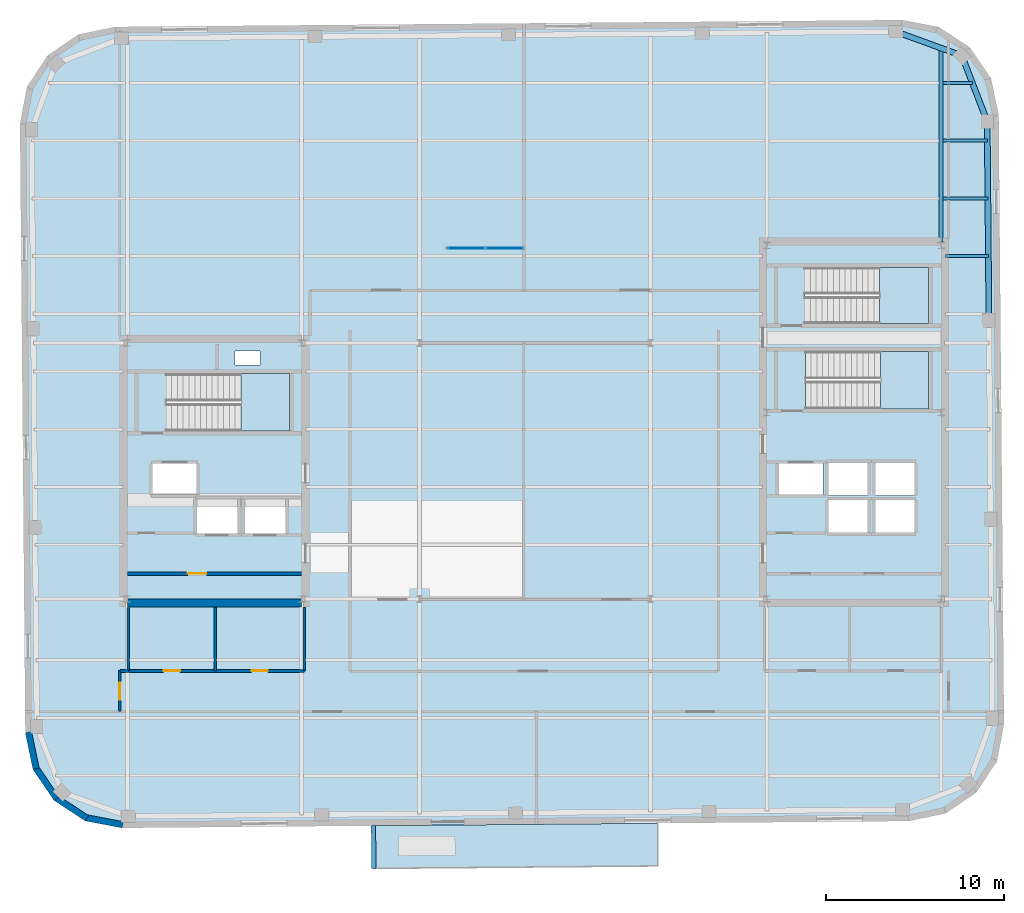
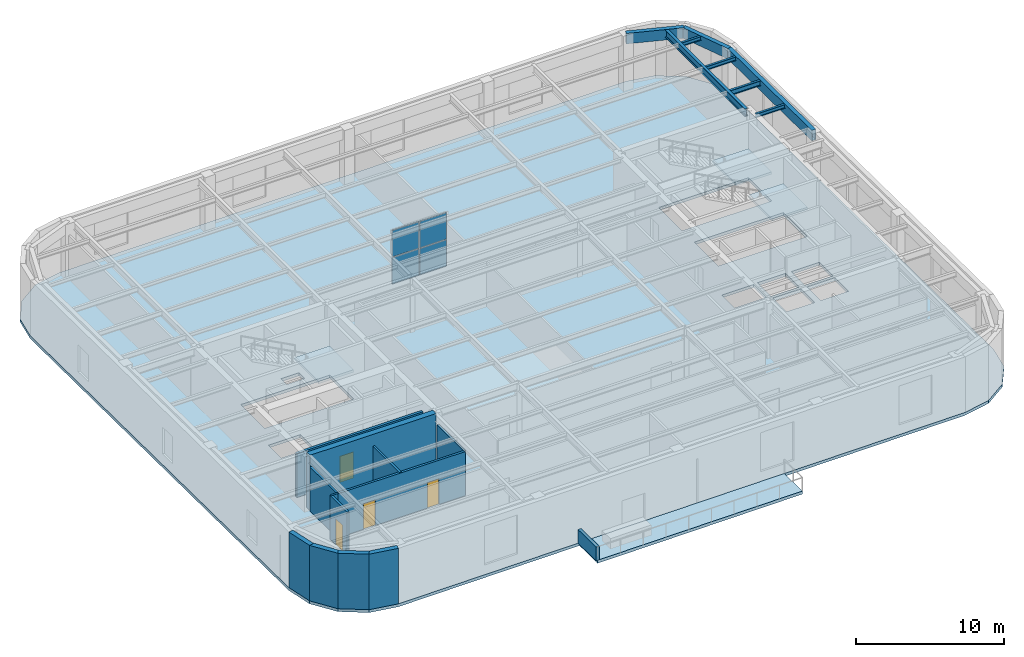
# One storey, part 7 of 13: 13 walls, 8 beams, 5 slabs, 4 doors, 4 plates, 4 openings, 4 elements without a shape of their own.
"""IFC4 building model written with IfcOpenShell, lengths in metres."""

from ifc_helpers import new_model, si_unit, direction, frame, frame_2d, origin, origin_2d, place, context, subcontext, project, spatial, polyline, rectangle, hollow_rectangle, i_section, outline, extrude, material, layer, layer_set, material_profile, profile_set, type_object, element, fill, aggregate, save


model = new_model("IFC4")

# Units and contexts
model_context = context("Model", 3, precision=1e-05, world=origin(), true_north=direction((0.0, 1.0)))
body_context = subcontext(model_context, "Body", "Model", "MODEL_VIEW")
ifc_project = project(units=[si_unit("LENGTHUNIT", "METRE"), si_unit("AREAUNIT", "SQUARE_METRE"), si_unit("VOLUMEUNIT", "CUBIC_METRE"), si_unit("PLANEANGLEUNIT", "RADIAN"), si_unit("MASSUNIT", "GRAM", prefix="KILO")], contexts=[model_context])

# Site, building, storey
site_placement = place(None, origin())
site = spatial("IfcSite", under=ifc_project, at=site_placement, CompositionType="ELEMENT")
building_placement = place(site_placement, origin())
building = spatial("IfcBuilding", under=site, at=building_placement, Name="Kolvaren Arena Tower", CompositionType="ELEMENT")
storey_placement = place(building_placement, frame((0.0, 0.0, 312.39990234375)))
storey = spatial("IfcBuildingStorey", under=building, at=storey_placement, Name="L77", CompositionType="ELEMENT", Elevation=312.39990234375)

# Beams
ifc_material_1 = material(Name="Steel CSA G40.21 350W", Category="steel")
ifc_material_profile_1 = material_profile(ifc_material_1, i_section(OverallWidth=0.180908203125, OverallDepth=0.4169921875, WebThickness=0.010986328125, FlangeThickness=0.018310546875, FilletRadius=0.011962890625, at=origin_2d()), Name="W410x85")
ifc_profile_set_1 = profile_set([ifc_material_profile_1], Name="Steel CSA G40.21 350W")
beam_type_1 = type_object("IfcBeamType", Name="BEAM-F3", PredefinedType="BEAM", material=ifc_profile_set_1)
beam_1_placement = place(storey_placement, frame((60.464111328125, 42.0, 4.3515625), z_axis=(1.0, 0.0, 0.0), x_axis=(0.0, 1.0, 0.0)))
element("IfcBeam", 1, at=beam_1_placement, inside=storey, type_object=beam_type_1, Name="Composite Floor Beam (L77)", PredefinedType="BEAM", context=body_context, shape_type="SweptSolid", body=[
    extrude(i_section(OverallWidth=0.180908203125, OverallDepth=0.4169921875, WebThickness=0.010986328125, FlangeThickness=0.018310546875, FilletRadius=0.011962890625, at=origin_2d()), origin(), (0.0, 0.0, 1.0), 2.526123046875),
])
ifc_material_profile_2 = material_profile(ifc_material_1, i_section(OverallWidth=0.22802734375, OverallDepth=0.615966796875, WebThickness=0.013916015625, FlangeThickness=0.02490234375, FilletRadius=0.014892578125, at=origin_2d()), Name="W610x174")
ifc_profile_set_2 = profile_set([ifc_material_profile_2], Name="Steel CSA G40.21 350W")
beam_type_2 = type_object("IfcBeamType", Name="GIRD-T3", PredefinedType="BEAM", material=ifc_profile_set_2)
beam_2_placement = place(storey_placement, frame((60.35009765625, 39.554931640625, 4.252197265625), z_axis=(0.0, 1.0, 0.0), x_axis=(-1.0, 0.0, 0.0)))
element("IfcBeam", 2, at=beam_2_placement, inside=storey, type_object=beam_type_2, Name="Primary Floor Girder (L77)", PredefinedType="BEAM", context=body_context, shape_type="SweptSolid", body=[
    extrude(i_section(OverallWidth=0.22802734375, OverallDepth=0.615966796875, WebThickness=0.013916015625, FlangeThickness=0.02490234375, FilletRadius=0.014892578125, at=origin_2d()), origin(), (0.0, 0.0, 1.0), 10.90625),
])
ifc_material_profile_3 = material_profile(ifc_material_1, i_section(OverallWidth=0.1669921875, OverallDepth=0.31689453125, WebThickness=0.007568359375, FlangeThickness=0.01318359375, FilletRadius=0.010009765625, at=origin_2d()), Name="W310x52")
ifc_profile_set_3 = profile_set([ifc_material_profile_3], Name="Steel CSA G40.21 350W")
beam_type_3 = type_object("IfcBeamType", Name="JOIST-02", PredefinedType="JOIST", material=ifc_profile_set_3)
beam_3_placement = place(storey_placement, frame((60.594970703125, 38.75, 4.401611328125), z_axis=(1.0, 0.0, 0.0), x_axis=(0.0, 1.0, 0.0)))
element("IfcBeam", 3, at=beam_3_placement, inside=storey, type_object=beam_type_3, Name="Composite Floor Joist (L77)", PredefinedType="JOIST", context=body_context, shape_type="SweptSolid", body=[
    extrude(i_section(OverallWidth=0.1669921875, OverallDepth=0.31689453125, WebThickness=0.007568359375, FlangeThickness=0.01318359375, FilletRadius=0.010009765625, at=origin_2d()), origin(), (0.0, 0.0, 1.0), 2.423583984375),
])
beam_4_placement = place(storey_placement, frame((60.464111328125, 45.25, 4.401611328125), z_axis=(1.0, 0.0, 0.0), x_axis=(0.0, 1.0, 0.0)))
element("IfcBeam", 4, at=beam_4_placement, inside=storey, type_object=beam_type_3, Name="Composite Floor Joist (L77)", PredefinedType="JOIST", context=body_context, shape_type="SweptSolid", body=[
    extrude(i_section(OverallWidth=0.1669921875, OverallDepth=0.31689453125, WebThickness=0.007568359375, FlangeThickness=0.01318359375, FilletRadius=0.010009765625, at=origin_2d()), origin(), (0.0, 0.0, 1.0), 2.497802734375),
])
beam_5_placement = place(storey_placement, frame((60.464111328125, 48.5, 4.401611328125), z_axis=(1.0, 0.0, 0.0), x_axis=(0.0, 1.0, 0.0)))
element("IfcBeam", 5, at=beam_5_placement, inside=storey, type_object=beam_type_3, Name="Composite Floor Joist (L77)", PredefinedType="JOIST", context=body_context, shape_type="SweptSolid", body=[
    extrude(i_section(OverallWidth=0.1669921875, OverallDepth=0.31689453125, WebThickness=0.007568359375, FlangeThickness=0.01318359375, FilletRadius=0.010009765625, at=origin_2d()), origin(), (0.0, 0.0, 1.0), 1.654296875),
])
ifc_material_2 = material(Name="Steel CSA G40.21 350WT", Category="steel")
ifc_material_profile_4 = material_profile(ifc_material_2, hollow_rectangle(XDim=0.320068359375, YDim=0.860107421875, WallThickness=0.01806640625, at=origin_2d()), Name="HSS 860x320x18")
ifc_profile_set_4 = profile_set([ifc_material_profile_4], Name="Steel CSA G40.21 350WT")
beam_type_4 = type_object("IfcBeamType", Name="SPAND-02", PredefinedType="SPANDREL", material=ifc_profile_set_4)
beam_6_placement = place(storey_placement, frame((63.050048828125, 35.134521484375, 4.130126953125), z_axis=(-0.008719394723, 0.999961985355, 0.0), x_axis=(-0.999961985355, -0.008719394723, 0.0)))
element("IfcBeam", 6, at=beam_6_placement, inside=storey, type_object=beam_type_4, Name="Perimeter Spandrel Beam (L77)", PredefinedType="SPANDREL", context=body_context, shape_type="SweptSolid", body=[
    extrude(hollow_rectangle(XDim=0.320068359375, YDim=0.860107421875, WallThickness=0.01806640625, at=origin_2d()), origin(), (0.0, 0.0, 1.0), 11.199951171875),
])
for number, where, z_axis, x_axis, name in (
    (7, (62.952392578125, 46.333984375, 4.130126953125), (-0.359383792094, 0.933189846698, 0.0), (-0.933189846698, -0.359383792094, 0.0), "Perimeter Spandrel Beam (L77)"),
    (8, (61.52880859375, 50.030517578125, 4.130126953125), (-0.939313819882, 0.343059102458, 0.0), (-0.343059102458, -0.939313819882, 0.0), "Perimeter Spandrel Beam (L77)"),
):
    element("IfcBeam", number, at=place(storey_placement, frame(where, z_axis=z_axis, x_axis=x_axis)), inside=storey, type_object=beam_type_4, Name=name, PredefinedType="SPANDREL", context=body_context, shape_type="SweptSolid", body=[
        extrude(hollow_rectangle(XDim=0.320068359375, YDim=0.860107421875, WallThickness=0.01806640625, at=origin_2d()), origin(), (0.0, 0.0, 1.0), 3.961181640625),
    ])

# Curtain wall, plates
ifc_material_3 = material(Name="Anodised aluminium unitised curtain wall", Category="aluminium")
curtain_wall_type = type_object("IfcCurtainWallType", Name="CW-SYS-06", PredefinedType="USERDEFINED", material=ifc_material_3)
curtain_wall_placement = place(storey_placement, origin())
curtain_wall = element("IfcCurtainWall", 9, at=curtain_wall_placement, inside=storey, type_object=curtain_wall_type, Name="Wintergarden Glazed Curtain Wall (L77)", ObjectType="UNITISED CURTAIN WALL", PredefinedType="USERDEFINED")
ifc_material_4 = material(Name="Triple-silver low-E insulated glazing unit", Category="glass")
ifc_layer_1 = layer(ifc_material_4, 0.0439453125)
ifc_layer_set_1 = layer_set([ifc_layer_1], Name="Triple-silver low-E insulated glazing unit")
plate_type = type_object("IfcPlateType", Name="CWP-VIS1", PredefinedType="CURTAIN_PANEL", material=ifc_layer_set_1)
plate_1_placement = place(storey_placement, frame((33.6201171875, 39.199951171875, 0.080078125), z_axis=(0.0, 0.0, 1.0), x_axis=(1.0, 0.0, 0.0)))
plate_1 = element("IfcPlate", 10, at=plate_1_placement, type_object=plate_type, Name="CW6 panel 1.1", PredefinedType="CURTAIN_PANEL", context=body_context, shape_type="SweptSolid", body=[
    extrude(rectangle(XDim=2.080078125, YDim=0.0439453125, at=origin_2d()), origin(), (0.0, 0.0, 1.0), 2.159912109375),
])
plate_2_placement = place(storey_placement, frame((33.6201171875, 39.199951171875, 2.3203125), z_axis=(0.0, 0.0, 1.0), x_axis=(1.0, 0.0, 0.0)))
plate_2 = element("IfcPlate", 11, at=plate_2_placement, type_object=plate_type, Name="CW6 panel 1.2", PredefinedType="CURTAIN_PANEL", context=body_context, shape_type="SweptSolid", body=[
    extrude(rectangle(XDim=2.080078125, YDim=0.0439453125, at=origin_2d()), origin(), (0.0, 0.0, 1.0), 2.159912109375),
])
plate_3_placement = place(storey_placement, frame((35.780029296875, 39.199951171875, 0.080078125), z_axis=(0.0, 0.0, 1.0), x_axis=(1.0, 0.0, 0.0)))
plate_3 = element("IfcPlate", 12, at=plate_3_placement, type_object=plate_type, Name="CW6 panel 2.1", PredefinedType="CURTAIN_PANEL", context=body_context, shape_type="SweptSolid", body=[
    extrude(rectangle(XDim=2.080078125, YDim=0.0439453125, at=origin_2d()), origin(), (0.0, 0.0, 1.0), 2.159912109375),
])
plate_4_placement = place(storey_placement, frame((35.780029296875, 39.199951171875, 2.3203125), z_axis=(0.0, 0.0, 1.0), x_axis=(1.0, 0.0, 0.0)))
plate_4 = element("IfcPlate", 13, at=plate_4_placement, type_object=plate_type, Name="CW6 panel 2.2", PredefinedType="CURTAIN_PANEL", context=body_context, shape_type="SweptSolid", body=[
    extrude(rectangle(XDim=2.080078125, YDim=0.0439453125, at=origin_2d()), origin(), (0.0, 0.0, 1.0), 2.159912109375),
])
aggregate(curtain_wall, [plate_1, plate_2, plate_3, plate_4])

# Stair, slab
ifc_material_5 = material(Name="Concrete 45 MPa", Category="concrete")
stair_type_1 = type_object("IfcStairType", Name="STAIR-CORE-165", PredefinedType="HALF_TURN_STAIR", material=ifc_material_5)
stair_1_placement = place(storey_placement, origin())
stair_1 = element("IfcStair", 14, at=stair_1_placement, inside=storey, type_object=stair_type_1, Name="L77 ST-W1", PredefinedType="HALF_TURN_STAIR")
ifc_layer_2 = layer(ifc_material_5, 0.199951171875)
ifc_layer_set_2 = layer_set([ifc_layer_2], Name="Concrete 45 MPa")
slab_type_1 = type_object("IfcSlabType", Name="SLAB-LAND", PredefinedType="LANDING", material=ifc_layer_set_2)
slab_1_placement = place(storey_placement, frame((0.0, 0.0, 2.2001953125)))
slab_1 = element("IfcSlab", 15, at=slab_1_placement, type_object=slab_type_1, Name="ST-W1 landing 1", PredefinedType="LANDING", context=body_context, shape_type="SweptSolid", body=[
    extrude(outline(polyline([(20.931884765625, 28.89990234375), (23.659912109375, 28.89990234375), (23.659912109375, 32.1298828125), (20.931884765625, 32.1298828125), (20.931884765625, 28.89990234375)])), origin(), (0.0, 0.0, 1.0), 0.199951171875),
])
aggregate(stair_1, [slab_1])

stair_2_placement = place(storey_placement, origin())
stair_2 = element("IfcStair", 16, at=stair_2_placement, inside=storey, type_object=stair_type_1, Name="L77 ST-E1", PredefinedType="HALF_TURN_STAIR")
slab_2_placement = place(storey_placement, frame((0.0, 0.0, 2.2001953125)))
slab_2 = element("IfcSlab", 17, at=slab_2_placement, type_object=slab_type_1, Name="ST-E1 landing 1", PredefinedType="LANDING", context=body_context, shape_type="SweptSolid", body=[
    extrude(outline(polyline([(56.931884765625, 30.14990234375), (59.659912109375, 30.14990234375), (59.659912109375, 33.3798828125), (56.931884765625, 33.3798828125), (56.931884765625, 30.14990234375)])), origin(), (0.0, 0.0, 1.0), 0.199951171875),
])
aggregate(stair_2, [slab_2])

stair_type_2 = type_object("IfcStairType", Name="STAIR-CORE-150", PredefinedType="HALF_TURN_STAIR", material=ifc_material_5)
stair_3_placement = place(storey_placement, origin())
stair_3 = element("IfcStair", 18, at=stair_3_placement, inside=storey, type_object=stair_type_2, Name="L77 ST-E2", PredefinedType="HALF_TURN_STAIR")
slab_3_placement = place(storey_placement, frame((0.0, 0.0, 2.2001953125)))
slab_3 = element("IfcSlab", 19, at=slab_3_placement, type_object=slab_type_1, Name="ST-E2 landing 1", PredefinedType="LANDING", context=body_context, shape_type="SweptSolid", body=[
    extrude(outline(polyline([(56.89208984375, 34.949951171875), (59.659912109375, 34.949951171875), (59.659912109375, 38.10009765625), (56.89208984375, 38.10009765625), (56.89208984375, 34.949951171875)])), origin(), (0.0, 0.0, 1.0), 0.199951171875),
])
aggregate(stair_3, [slab_3])

# Slabs
ifc_material_6 = material(Name="Concrete 50 MPa", Category="concrete")
ifc_layer_3 = layer(ifc_material_6, 0.239990234375)
ifc_layer_set_3 = layer_set([ifc_layer_3], Name="Concrete 50 MPa")
slab_type_2 = type_object("IfcSlabType", Name="SLAB-OBS", PredefinedType="FLOOR", material=ifc_layer_set_3)
slab_4_placement = place(storey_placement, frame((0.0, 0.0, -0.239990234375)))
element("IfcSlab", 20, at=slab_4_placement, inside=storey, type_object=slab_type_2, Name="L77 Primary Structural Slab", PredefinedType="FLOOR", context=body_context, shape_type="SweptSolid", body=[
    extrude(outline(polyline([(58.5458984375, 6.944091796875), (60.60888671875, 7.373291015625), (62.350341796875, 8.55908203125), (63.505615234375, 10.321044921875), (63.898681640625, 12.39111328125), (63.599365234375, 46.689697265625), (63.170166015625, 48.752685546875), (61.984375, 50.494140625), (60.222412109375, 51.6494140625), (58.15234375, 52.04248046875), (13.85400390625, 51.65576171875), (11.791259765625, 51.226806640625), (10.049560546875, 50.041015625), (8.894287109375, 48.27880859375), (8.50146484375, 46.208984375), (8.80078125, 11.91015625), (9.229736328125, 9.847412109375), (10.41552734375, 8.105712890625), (12.177490234375, 6.95068359375), (14.24755859375, 6.5576171875), (58.5458984375, 6.944091796875)]), holes=[polyline([(20.739990234375, 23.135009765625), (18.4599609375, 23.135009765625), (18.4599609375, 25.06494140625), (20.739990234375, 25.06494140625), (20.739990234375, 23.135009765625)]), polyline([(21.159912109375, 23.135009765625), (21.159912109375, 25.06494140625), (23.43994140625, 25.06494140625), (23.43994140625, 23.135009765625), (21.159912109375, 23.135009765625)]), polyline([(56.2099609375, 23.18505859375), (54.030029296875, 23.18505859375), (54.030029296875, 25.014892578125), (56.2099609375, 25.014892578125), (56.2099609375, 23.18505859375)]), polyline([(56.669921875, 23.18505859375), (56.669921875, 25.014892578125), (58.85009765625, 25.014892578125), (58.85009765625, 23.18505859375), (56.669921875, 23.18505859375)]), polyline([(54.030029296875, 25.284912109375), (54.030029296875, 27.114990234375), (56.2099609375, 27.114990234375), (56.2099609375, 25.284912109375), (54.030029296875, 25.284912109375)]), polyline([(58.85009765625, 25.284912109375), (56.669921875, 25.284912109375), (56.669921875, 27.114990234375), (58.85009765625, 27.114990234375), (58.85009765625, 25.284912109375)]), polyline([(15.9599609375, 25.3349609375), (15.9599609375, 27.06494140625), (18.43994140625, 27.06494140625), (18.43994140625, 25.3349609375), (15.9599609375, 25.3349609375)]), polyline([(53.699951171875, 25.3349609375), (51.219970703125, 25.3349609375), (51.219970703125, 27.06494140625), (53.699951171875, 27.06494140625), (53.699951171875, 25.3349609375)]), polyline([(16.735107421875, 28.89990234375), (16.735107421875, 32.1298828125), (23.659912109375, 32.1298828125), (23.659912109375, 28.89990234375), (16.735107421875, 28.89990234375)]), polyline([(52.735107421875, 30.14990234375), (52.735107421875, 33.3798828125), (59.659912109375, 33.3798828125), (59.659912109375, 30.14990234375), (52.735107421875, 30.14990234375)]), polyline([(20.60009765625, 32.6201171875), (20.60009765625, 33.39990234375), (22.0, 33.39990234375), (22.0, 32.6201171875), (20.60009765625, 32.6201171875)]), polyline([(52.695068359375, 34.949951171875), (52.695068359375, 38.10009765625), (59.659912109375, 38.10009765625), (59.659912109375, 34.949951171875), (52.695068359375, 34.949951171875)])]), origin(), (0.0, 0.0, 1.0), 0.239990234375),
])
ifc_layer_4 = layer(ifc_material_5, 0.2548828125)
ifc_layer_set_4 = layer_set([ifc_layer_4], Name="Concrete 45 MPa")
slab_type_3 = type_object("IfcSlabType", Name="SLAB-TERR", PredefinedType="FLOOR", material=ifc_layer_set_4)
slab_5_placement = place(storey_placement, frame((0.0, 0.0, -0.25)))
element("IfcSlab", 21, at=slab_5_placement, inside=storey, type_object=slab_type_3, Name="L77 Planted Setback Roof Terrace Slab", PredefinedType="FLOOR", context=body_context, shape_type="SweptSolid", body=[
    extrude(outline(polyline([(28.41796875, 4.281005859375), (44.41748046875, 4.4208984375), (44.396484375, 6.82080078125), (28.397216796875, 6.680908203125), (28.41796875, 4.281005859375)])), origin(), (0.0, 0.0, 1.0), 0.25),
])

# Wall
ifc_material_7 = material(Name="Gypsum board acoustic assembly", Category="gypsum")
ifc_layer_5 = layer(ifc_material_7, 0.159912109375)
ifc_layer_set_5 = layer_set([ifc_layer_5], Name="Gypsum board acoustic assembly")
wall_type_1 = type_object("IfcWallType", Name="CORR-160", PredefinedType="PARTITIONING", material=ifc_layer_set_5)
wall_1_placement = place(storey_placement, frame((14.1201171875, 15.39990234375, 0.0), z_axis=(0.0, 0.0, 1.0), x_axis=(1.0, 0.0, 0.0)))
element("IfcWall", 22, at=wall_1_placement, inside=storey, type_object=wall_type_1, Name="Interior Partition Wall (L77)", PredefinedType="PARTITIONING", context=body_context, shape_type="SweptSolid", body=[
    extrude(rectangle(XDim=0.5, YDim=0.159912109375, at=frame_2d((0.25, 0.0))), origin(), (0.0, 0.0, 1.0), 3.6201171875),
])

# Wall, opening, door
wall_2_placement = place(storey_placement, frame((14.1201171875, 13.1201171875, 0.0), z_axis=(0.0, 0.0, 1.0), x_axis=(0.0, 1.0, 0.0)))
wall_2 = element("IfcWall", 23, at=wall_2_placement, inside=storey, type_object=wall_type_1, Name="Interior Partition Wall (L77)", PredefinedType="PARTITIONING", context=body_context, shape_type="SweptSolid", body=[
    extrude(rectangle(XDim=2.2998046875, YDim=0.159912109375, at=frame_2d((1.14990234375, 0.0))), origin(), (0.0, 0.0, 1.0), 3.6201171875),
])
opening_1_placement = place(wall_2_placement, frame((0.64990234375, 0.0, 0.0)))
opening_1 = element("IfcOpeningElement", 24, at=opening_1_placement, cuts=wall_2, Name="Opening D05", PredefinedType="OPENING", context=body_context, shape_type="SweptSolid", body=[
    extrude(rectangle(XDim=0.949951171875, YDim=2.14990234375, at=frame_2d((0.47509765625, 1.074951171875))), frame((0.0, 0.08984375, 0.0), z_axis=(0.0, -1.0, 0.0), x_axis=(1.0, 0.0, 0.0)), (0.0, 0.0, 1.0), 0.179931640625),
])
ifc_material_8 = material(Name="Solid-core oak acoustic office door", Category="wood")
door_type_1 = type_object("IfcDoorType", Name="DOOR-OF-095", OperationType="NOTDEFINED", PredefinedType="DOOR", material=ifc_material_8)
door_1_placement = place(opening_1_placement, origin())
door_1 = element("IfcDoor", 25, at=door_1_placement, inside=storey, type_object=door_type_1, Name="West Salon Door (L77)", OperationType="SINGLE_SWING_LEFT", OverallHeight=2.14990234375, OverallWidth=0.949951171875, PredefinedType="DOOR", context=body_context, shape_type="SweptSolid", body=[
    extrude(rectangle(XDim=0.949951171875, YDim=2.14990234375, at=frame_2d((0.47509765625, 1.074951171875))), frame((0.0, 0.02490234375, 0.0), z_axis=(0.0, -1.0, 0.0), x_axis=(1.0, 0.0, 0.0)), (0.0, 0.0, 1.0), 0.050048828125),
])
fill(opening_1, door_1)

# Walls
ifc_material_9 = material(Name="Concrete 55 MPa", Category="concrete")
ifc_layer_6 = layer(ifc_material_9, 0.449951171875)
ifc_layer_set_6 = layer_set([ifc_layer_6], Name="Concrete 55 MPa")
wall_type_2 = type_object("IfcWallType", Name="CWALL-450", PredefinedType="SHEAR", material=ifc_layer_set_6)
wall_3_placement = place(storey_placement, frame((14.550048828125, 19.22509765625, -0.239990234375), z_axis=(0.0, 0.0, 1.0), x_axis=(1.0, 0.0, 0.0)))
element("IfcWall", 26, at=wall_3_placement, inside=storey, type_object=wall_type_2, Name="Core Shear Wall WC-SOUTH (L77)", PredefinedType="SHEAR", context=body_context, shape_type="SweptSolid", body=[
    extrude(rectangle(XDim=9.800048828125, YDim=0.449951171875, at=frame_2d((4.89990234375, 0.0))), origin(), (0.0, 0.0, 1.0), 4.800048828125),
])
ifc_material_10 = material(Name="Precast concrete C50/60", Category="concrete")
ifc_layer_7 = layer(ifc_material_10, 0.360107421875)
ifc_layer_set_7 = layer_set([ifc_layer_7], Name="Precast concrete C50/60")
wall_type_3 = type_object("IfcWallType", Name="EXT-PIER2", PredefinedType="SOLIDWALL", material=ifc_layer_set_7)
wall_4_placement = place(storey_placement, frame((9.406005859375, 9.884033203125, 0.0), z_axis=(0.0, 0.0, 1.0), x_axis=(-0.203685893209, 0.979036289883, 0.0)))
element("IfcWall", 27, at=wall_4_placement, inside=storey, type_object=wall_type_3, Name="Exterior Precast Masonry-Frame Wall (L77)", PredefinedType="SOLIDWALL", context=body_context, shape_type="SweptSolid", body=[
    extrude(rectangle(XDim=2.107177734375, YDim=0.360107421875, at=frame_2d((1.0537109375, 0.0))), origin(), (0.0, 0.0, 1.0), 4.56005859375),
])
for number, where, z_axis, x_axis, name in (
    (28, (10.564453125, 8.20703125, 0.0), (0.0, 0.0, 1.0), (-0.56277581689, 0.826609569219, 0.0), "Exterior Precast Masonry-Frame Wall (L77)"),
    (29, (12.2763671875, 7.10107421875, 0.0), (0.0, 0.0, 1.0), (-0.836268756678, 0.548319766745, 0.0), "Exterior Precast Masonry-Frame Wall (L77)"),
):
    element("IfcWall", number, at=place(storey_placement, frame(where, z_axis=z_axis, x_axis=x_axis)), inside=storey, type_object=wall_type_3, Name=name, PredefinedType="SOLIDWALL", context=body_context, shape_type="SweptSolid", body=[
        extrude(rectangle(XDim=2.10693359375, YDim=0.360107421875, at=frame_2d((1.053466796875, 0.0))), origin(), (0.0, 0.0, 1.0), 4.56005859375),
    ])
wall_5_placement = place(storey_placement, frame((14.28125, 6.734375, 0.0), z_axis=(0.0, 0.0, 1.0), x_axis=(-0.982445905584, 0.186547695246, 0.0)))
element("IfcWall", 30, at=wall_5_placement, inside=storey, type_object=wall_type_3, Name="Exterior Precast Masonry-Frame Wall (L77)", PredefinedType="SOLIDWALL", context=body_context, shape_type="SweptSolid", body=[
    extrude(rectangle(XDim=2.107177734375, YDim=0.360107421875, at=frame_2d((1.0537109375, 0.0))), origin(), (0.0, 0.0, 1.0), 4.56005859375),
])

# Wall, opening, door
ifc_material_11 = material(Name="Concrete 40 MPa", Category="concrete")
ifc_layer_8 = layer(ifc_material_11, 0.199951171875)
ifc_layer_set_8 = layer_set([ifc_layer_8], Name="Concrete 40 MPa")
wall_type_4 = type_object("IfcWallType", Name="LOBBY-200", PredefinedType="SOLIDWALL", material=ifc_layer_set_8)
wall_6_placement = place(storey_placement, frame((14.550048828125, 20.8798828125, 0.0), z_axis=(0.0, 0.0, 1.0), x_axis=(1.0, 0.0, 0.0)))
wall_6 = element("IfcWall", 31, at=wall_6_placement, inside=storey, type_object=wall_type_4, Name="Core Shaft Wall (L77)", PredefinedType="SOLIDWALL", context=body_context, shape_type="SweptSolid", body=[
    extrude(rectangle(XDim=9.800048828125, YDim=0.199951171875, at=frame_2d((4.89990234375, 0.0))), origin(), (0.0, 0.0, 1.0), 3.6201171875),
])
opening_2_placement = place(wall_6_placement, frame((3.39990234375, 0.0, 0.0)))
opening_2 = element("IfcOpeningElement", 32, at=opening_2_placement, cuts=wall_6, Name="Opening D04", PredefinedType="OPENING", context=body_context, shape_type="SweptSolid", body=[
    extrude(rectangle(XDim=1.050048828125, YDim=2.14990234375, at=frame_2d((0.52490234375, 1.074951171875))), frame((0.0, 0.10986328125, 0.0), z_axis=(0.0, -1.0, 0.0), x_axis=(1.0, 0.0, 0.0)), (0.0, 0.0, 1.0), 0.219970703125),
])
ifc_material_12 = material(Name="Fire-rated steel lobby door", Category="steel")
door_type_2 = type_object("IfcDoorType", Name="DOOR-FF-105", OperationType="NOTDEFINED", PredefinedType="DOOR", material=ifc_material_12)
door_2_placement = place(opening_2_placement, origin())
door_2 = element("IfcDoor", 33, at=door_2_placement, inside=storey, type_object=door_type_2, Name="West IT Room Fire Door (L77)", OperationType="SINGLE_SWING_LEFT", OverallHeight=2.14990234375, OverallWidth=1.050048828125, PredefinedType="DOOR", context=body_context, shape_type="SweptSolid", body=[
    extrude(rectangle(XDim=1.050048828125, YDim=2.14990234375, at=frame_2d((0.52490234375, 1.074951171875))), frame((0.0, 0.02490234375, 0.0), z_axis=(0.0, -1.0, 0.0), x_axis=(1.0, 0.0, 0.0)), (0.0, 0.0, 1.0), 0.050048828125),
])
fill(opening_2, door_2)

# Walls
ifc_material_13 = material(Name="Precast concrete C45/55", Category="concrete")
ifc_layer_9 = layer(ifc_material_13, 0.25)
ifc_layer_set_9 = layer_set([ifc_layer_9], Name="Precast concrete C45/55")
wall_type_5 = type_object("IfcWallType", Name="PARAP-250", PredefinedType="PARAPET", material=ifc_layer_set_9)
wall_7_placement = place(storey_placement, frame((28.397216796875, 6.680908203125, 0.0), z_axis=(0.0, 0.0, 1.0), x_axis=(0.00864667573, -0.999962616801, 0.0)))
element("IfcWall", 34, at=wall_7_placement, inside=storey, type_object=wall_type_5, Name="Terrace Side Parapet Wall (L77)", PredefinedType="PARAPET", context=body_context, shape_type="SweptSolid", body=[
    extrude(rectangle(XDim=2.39990234375, YDim=0.25, at=frame_2d((1.199951171875, 0.0))), origin(), (0.0, 0.0, 1.0), 1.1201171875),
])
ifc_material_14 = material(Name="Moisture-resistant gypsum assembly", Category="gypsum")
ifc_layer_10 = layer(ifc_material_14, 0.14990234375)
ifc_layer_set_10 = layer_set([ifc_layer_10], Name="Moisture-resistant gypsum assembly")
wall_type_6 = type_object("IfcWallType", Name="WETW-150", PredefinedType="PARTITIONING", material=ifc_layer_set_10)
wall_8_placement = place(storey_placement, frame((19.5, 15.39990234375, 0.0), z_axis=(0.0, 0.0, 1.0), x_axis=(0.0, 1.0, 0.0)))
element("IfcWall", 35, at=wall_8_placement, inside=storey, type_object=wall_type_6, Name="Interior Partition Wall (L77)", PredefinedType="PARTITIONING", context=body_context, shape_type="SweptSolid", body=[
    extrude(rectangle(XDim=3.580078125, YDim=0.14990234375, at=frame_2d((1.7900390625, 0.0))), origin(), (0.0, 0.0, 1.0), 3.6201171875),
])

# Wall, openings, doors
wall_9_placement = place(storey_placement, frame((14.60009765625, 15.39990234375, 0.0), z_axis=(0.0, 0.0, 1.0), x_axis=(1.0, 0.0, 0.0)))
wall_9 = element("IfcWall", 36, at=wall_9_placement, inside=storey, type_object=wall_type_6, Name="Interior Partition Wall (L77)", PredefinedType="PARTITIONING", context=body_context, shape_type="SweptSolid", body=[
    extrude(rectangle(XDim=9.89990234375, YDim=0.179931640625, at=frame_2d((4.949951171875, 0.0))), origin(), (0.0, 0.0, 1.0), 3.6201171875),
])
opening_3_placement = place(wall_9_placement, frame((1.989990234375, 0.0, 0.0)))
opening_3 = element("IfcOpeningElement", 37, at=opening_3_placement, cuts=wall_9, Name="Opening D07", PredefinedType="OPENING", context=body_context, shape_type="SweptSolid", body=[
    extrude(rectangle(XDim=0.919921875, YDim=2.10009765625, at=frame_2d((0.4599609375, 1.050048828125))), frame((0.0, 0.099853515625, 0.0), z_axis=(0.0, -1.0, 0.0), x_axis=(1.0, 0.0, 0.0)), (0.0, 0.0, 1.0), 0.199951171875),
])
opening_4_placement = place(wall_9_placement, frame((6.93994140625, 0.0, 0.0)))
opening_4 = element("IfcOpeningElement", 38, at=opening_4_placement, cuts=wall_9, Name="Opening D07", PredefinedType="OPENING", context=body_context, shape_type="SweptSolid", body=[
    extrude(rectangle(XDim=0.919921875, YDim=2.10009765625, at=frame_2d((0.4599609375, 1.050048828125))), frame((0.0, 0.099853515625, 0.0), z_axis=(0.0, -1.0, 0.0), x_axis=(1.0, 0.0, 0.0)), (0.0, 0.0, 1.0), 0.199951171875),
])
ifc_material_15 = material(Name="Laminate universal washroom door", Category="wood")
door_type_3 = type_object("IfcDoorType", Name="DOOR-WC-092", OperationType="NOTDEFINED", PredefinedType="DOOR", material=ifc_material_15)
door_3_placement = place(opening_3_placement, origin())
door_3 = element("IfcDoor", 39, at=door_3_placement, inside=storey, type_object=door_type_3, Name="Universal Barrier-Free Washroom Door (L77)", OperationType="SINGLE_SWING_LEFT", OverallHeight=2.10009765625, OverallWidth=0.919921875, PredefinedType="DOOR", context=body_context, shape_type="SweptSolid", body=[
    extrude(rectangle(XDim=0.919921875, YDim=2.10009765625, at=frame_2d((0.4599609375, 1.050048828125))), frame((0.0, 0.02490234375, 0.0), z_axis=(0.0, -1.0, 0.0), x_axis=(1.0, 0.0, 0.0)), (0.0, 0.0, 1.0), 0.050048828125),
])
fill(opening_3, door_3)
door_4_placement = place(opening_4_placement, origin())
door_4 = element("IfcDoor", 40, at=door_4_placement, inside=storey, type_object=door_type_3, Name="Gender-Neutral Washroom Door (L77)", OperationType="SINGLE_SWING_RIGHT", OverallHeight=2.10009765625, OverallWidth=0.919921875, PredefinedType="DOOR", context=body_context, shape_type="SweptSolid", body=[
    extrude(rectangle(XDim=0.919921875, YDim=2.10009765625, at=frame_2d((0.4599609375, 1.050048828125))), frame((0.0, 0.02490234375, 0.0), z_axis=(0.0, -1.0, 0.0), x_axis=(1.0, 0.0, 0.0)), (0.0, 0.0, 1.0), 0.050048828125),
])
fill(opening_4, door_4)

# Walls
for number, where, z_axis, x_axis, name in (
    (41, (14.60009765625, 15.39990234375, 0.0), (0.0, 0.0, 1.0), (0.0, 1.0, 0.0), "Interior Partition Wall (L77)"),
    (42, (24.5, 15.39990234375, 0.0), (0.0, 0.0, 1.0), (0.0, 1.0, 0.0), "Interior Partition Wall (L77)"),
):
    element("IfcWall", number, at=place(storey_placement, frame(where, z_axis=z_axis, x_axis=x_axis)), inside=storey, type_object=wall_type_6, Name=name, PredefinedType="PARTITIONING", context=body_context, shape_type="SweptSolid", body=[
        extrude(rectangle(XDim=3.580078125, YDim=0.14990234375, at=frame_2d((1.7900390625, 0.0))), origin(), (0.0, 0.0, 1.0), 3.6201171875),
    ])

save(model, "model.ifc")
